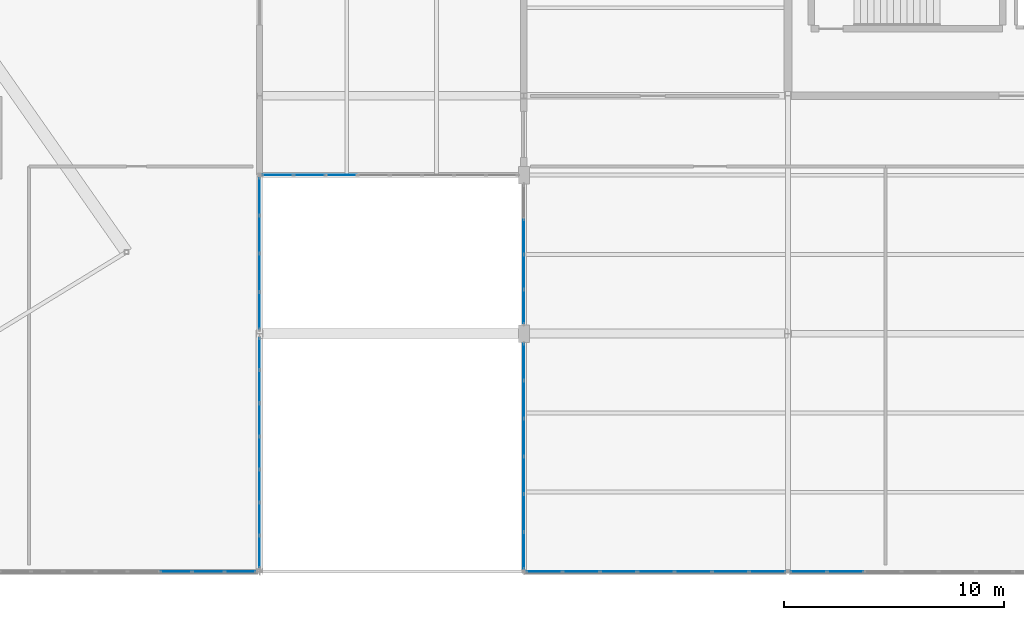
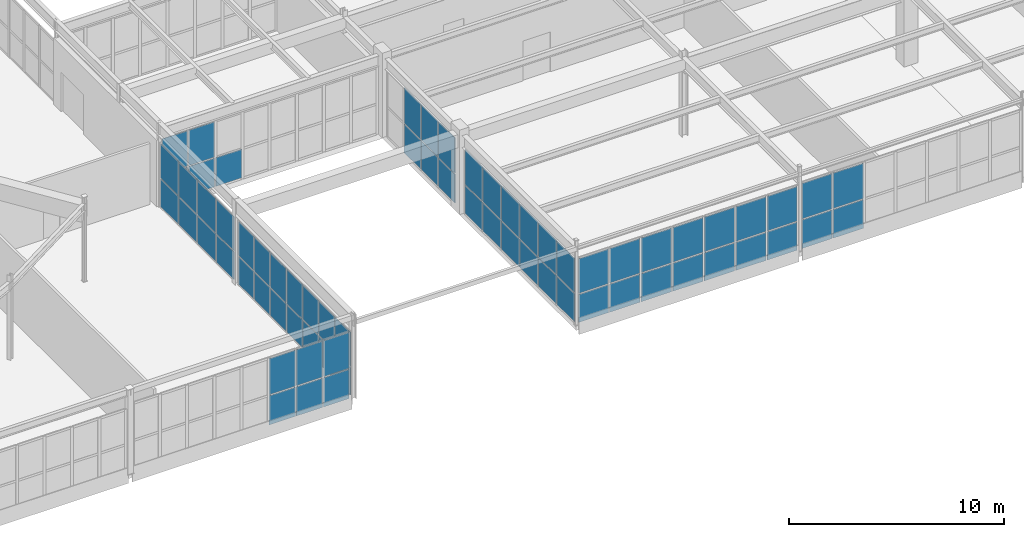
# One storey, part 119 of 186: 69 plates, 8 elements without a shape of their own.
"""IFC4 building model written with IfcOpenShell, lengths in metres."""

from ifc_helpers import new_model, si_unit, direction, frame, origin, origin_2d, place, context, subcontext, project, spatial, rectangle, extrude, material, layer, layer_set, type_object, element, aggregate, save


model = new_model("IFC4")

# Units and contexts
model_context = context("Model", 3, precision=1e-05, world=origin(), true_north=direction((0.0, 1.0)))
body_context = subcontext(model_context, "Body", "Model", "MODEL_VIEW")
ifc_project = project(units=[si_unit("LENGTHUNIT", "METRE"), si_unit("AREAUNIT", "SQUARE_METRE"), si_unit("VOLUMEUNIT", "CUBIC_METRE"), si_unit("PLANEANGLEUNIT", "RADIAN"), si_unit("MASSUNIT", "GRAM", prefix="KILO")], contexts=[model_context])

# Site, building, storey
site_placement = place(None, origin())
site = spatial("IfcSite", under=ifc_project, at=site_placement, CompositionType="ELEMENT")
building_placement = place(site_placement, origin())
building = spatial("IfcBuilding", under=site, at=building_placement, Name="Tarnwether General Hospital", CompositionType="ELEMENT")
storey_placement = place(building_placement, frame((0.0, 0.0, 9.60009765625)))
storey = spatial("IfcBuildingStorey", under=building, at=storey_placement, Name="L02", CompositionType="ELEMENT", Elevation=9.60009765625)

# Curtain wall, plates
ifc_material_1 = material(Name="Anodised aluminium", Category="aluminium")
ifc_layer_1 = layer(ifc_material_1, 0.159912109375)
ifc_layer_set_1 = layer_set([ifc_layer_1], Name="Anodised aluminium")
curtain_wall_type_1 = type_object("IfcCurtainWallType", Name="CW-13", PredefinedType="NOTDEFINED", material=ifc_layer_set_1)
curtain_wall_1_placement = place(storey_placement, origin())
curtain_wall_1 = element("IfcCurtainWall", 1, at=curtain_wall_1_placement, inside=storey, type_object=curtain_wall_type_1, Name="Curtain Wall CWG-L02-1319_0-0409", PredefinedType="NOTDEFINED")
ifc_material_2 = material(Name="Double glazed low-E glass", Category="glass")
ifc_layer_2 = layer(ifc_material_2, 0.028076171875)
ifc_layer_set_2 = layer_set([ifc_layer_2], Name="Double glazed low-E glass")
plate_type = type_object("IfcPlateType", Name="PT-CWP1", PredefinedType="CURTAIN_PANEL", material=ifc_layer_set_2)
plate_1_placement = place(storey_placement, frame((131.118408203125, 0.0, 0.06005859375), z_axis=(0.0, 0.0, 1.0), x_axis=(-1.0, 0.0, 0.0)))
plate_1 = element("IfcPlate", 2, at=plate_1_placement, type_object=plate_type, Name="CW-13 panel 1.1", PredefinedType="CURTAIN_PANEL", context=body_context, shape_type="SweptSolid", body=[
    extrude(rectangle(XDim=1.373291015625, YDim=0.028076171875, at=origin_2d()), origin(), (0.0, 0.0, 1.0), 1.658203125),
])
plate_2_placement = place(storey_placement, frame((131.118408203125, 0.0, 1.7783203125), z_axis=(0.0, 0.0, 1.0), x_axis=(-1.0, 0.0, 0.0)))
plate_2 = element("IfcPlate", 3, at=plate_2_placement, type_object=plate_type, Name="CW-13 panel 1.2", PredefinedType="CURTAIN_PANEL", context=body_context, shape_type="SweptSolid", body=[
    extrude(rectangle(XDim=1.373291015625, YDim=0.028076171875, at=origin_2d()), origin(), (0.0, 0.0, 1.0), 2.046630859375),
])
plate_3_placement = place(storey_placement, frame((129.669921875, 0.0, 0.06005859375), z_axis=(0.0, 0.0, 1.0), x_axis=(-1.0, 0.0, 0.0)))
plate_3 = element("IfcPlate", 4, at=plate_3_placement, type_object=plate_type, Name="CW-13 panel 2.1", PredefinedType="CURTAIN_PANEL", context=body_context, shape_type="SweptSolid", body=[
    extrude(rectangle(XDim=1.4033203125, YDim=0.028076171875, at=origin_2d()), origin(), (0.0, 0.0, 1.0), 1.658203125),
])
plate_4_placement = place(storey_placement, frame((129.669921875, 0.0, 1.7783203125), z_axis=(0.0, 0.0, 1.0), x_axis=(-1.0, 0.0, 0.0)))
plate_4 = element("IfcPlate", 5, at=plate_4_placement, type_object=plate_type, Name="CW-13 panel 2.2", PredefinedType="CURTAIN_PANEL", context=body_context, shape_type="SweptSolid", body=[
    extrude(rectangle(XDim=1.4033203125, YDim=0.028076171875, at=origin_2d()), origin(), (0.0, 0.0, 1.0), 2.046630859375),
])
plate_5_placement = place(storey_placement, frame((128.20654296875, 0.0, 0.06005859375), z_axis=(0.0, 0.0, 1.0), x_axis=(-1.0, 0.0, 0.0)))
plate_5 = element("IfcPlate", 6, at=plate_5_placement, type_object=plate_type, Name="CW-13 panel 3.1", PredefinedType="CURTAIN_PANEL", context=body_context, shape_type="SweptSolid", body=[
    extrude(rectangle(XDim=1.4033203125, YDim=0.028076171875, at=origin_2d()), origin(), (0.0, 0.0, 1.0), 1.658203125),
])
plate_6_placement = place(storey_placement, frame((128.20654296875, 0.0, 1.7783203125), z_axis=(0.0, 0.0, 1.0), x_axis=(-1.0, 0.0, 0.0)))
plate_6 = element("IfcPlate", 7, at=plate_6_placement, type_object=plate_type, Name="CW-13 panel 3.2", PredefinedType="CURTAIN_PANEL", context=body_context, shape_type="SweptSolid", body=[
    extrude(rectangle(XDim=1.4033203125, YDim=0.028076171875, at=origin_2d()), origin(), (0.0, 0.0, 1.0), 2.046630859375),
])
aggregate(curtain_wall_1, [plate_1, plate_2, plate_3, plate_4, plate_5, plate_6])

ifc_material_3 = material(Name="Anodised aluminium", Category="aluminium")
ifc_layer_3 = layer(ifc_material_3, 0.159912109375)
ifc_layer_set_3 = layer_set([ifc_layer_3], Name="Anodised aluminium")
curtain_wall_type_2 = type_object("IfcCurtainWallType", Name="CW-15", PredefinedType="NOTDEFINED", material=ifc_layer_set_3)
curtain_wall_2_placement = place(storey_placement, origin())
curtain_wall_2 = element("IfcCurtainWall", 8, at=curtain_wall_2_placement, inside=storey, type_object=curtain_wall_type_2, Name="Curtain Wall CWG-L02-1320_179-0434", PredefinedType="NOTDEFINED")
plate_7_placement = place(storey_placement, frame((132.0, 17.02880859375, 0.06005859375), z_axis=(0.0, 0.0, 1.0), x_axis=(0.0, -1.0, 0.0)))
plate_7 = element("IfcPlate", 9, at=plate_7_placement, type_object=plate_type, Name="CW-15 panel 1.1", PredefinedType="CURTAIN_PANEL", context=body_context, shape_type="SweptSolid", body=[
    extrude(rectangle(XDim=1.648193359375, YDim=0.028076171875, at=origin_2d()), origin(), (0.0, 0.0, 1.0), 1.56591796875),
])
plate_8_placement = place(storey_placement, frame((132.0, 17.02880859375, 1.685791015625), z_axis=(0.0, 0.0, 1.0), x_axis=(0.0, -1.0, 0.0)))
plate_8 = element("IfcPlate", 10, at=plate_8_placement, type_object=plate_type, Name="CW-15 panel 1.2", PredefinedType="CURTAIN_PANEL", context=body_context, shape_type="SweptSolid", body=[
    extrude(rectangle(XDim=1.648193359375, YDim=0.028076171875, at=origin_2d()), origin(), (0.0, 0.0, 1.0), 1.93408203125),
])
plate_9_placement = place(storey_placement, frame((132.0, 15.3056640625, 0.06005859375), z_axis=(0.0, 0.0, 1.0), x_axis=(0.0, -1.0, 0.0)))
plate_9 = element("IfcPlate", 11, at=plate_9_placement, type_object=plate_type, Name="CW-15 panel 2.1", PredefinedType="CURTAIN_PANEL", context=body_context, shape_type="SweptSolid", body=[
    extrude(rectangle(XDim=1.67822265625, YDim=0.028076171875, at=origin_2d()), origin(), (0.0, 0.0, 1.0), 1.56591796875),
])
plate_10_placement = place(storey_placement, frame((132.0, 15.3056640625, 1.685791015625), z_axis=(0.0, 0.0, 1.0), x_axis=(0.0, -1.0, 0.0)))
plate_10 = element("IfcPlate", 12, at=plate_10_placement, type_object=plate_type, Name="CW-15 panel 2.2", PredefinedType="CURTAIN_PANEL", context=body_context, shape_type="SweptSolid", body=[
    extrude(rectangle(XDim=1.67822265625, YDim=0.028076171875, at=origin_2d()), origin(), (0.0, 0.0, 1.0), 1.93408203125),
])
plate_11_placement = place(storey_placement, frame((132.0, 13.5673828125, 0.06005859375), z_axis=(0.0, 0.0, 1.0), x_axis=(0.0, -1.0, 0.0)))
plate_11 = element("IfcPlate", 13, at=plate_11_placement, type_object=plate_type, Name="CW-15 panel 3.1", PredefinedType="CURTAIN_PANEL", context=body_context, shape_type="SweptSolid", body=[
    extrude(rectangle(XDim=1.67822265625, YDim=0.028076171875, at=origin_2d()), origin(), (0.0, 0.0, 1.0), 1.56591796875),
])
plate_12_placement = place(storey_placement, frame((132.0, 13.5673828125, 1.685791015625), z_axis=(0.0, 0.0, 1.0), x_axis=(0.0, -1.0, 0.0)))
plate_12 = element("IfcPlate", 14, at=plate_12_placement, type_object=plate_type, Name="CW-15 panel 3.2", PredefinedType="CURTAIN_PANEL", context=body_context, shape_type="SweptSolid", body=[
    extrude(rectangle(XDim=1.67822265625, YDim=0.028076171875, at=origin_2d()), origin(), (0.0, 0.0, 1.0), 1.93408203125),
])
plate_13_placement = place(storey_placement, frame((132.0, 11.84423828125, 0.06005859375), z_axis=(0.0, 0.0, 1.0), x_axis=(0.0, -1.0, 0.0)))
plate_13 = element("IfcPlate", 15, at=plate_13_placement, type_object=plate_type, Name="CW-15 panel 4.1", PredefinedType="CURTAIN_PANEL", context=body_context, shape_type="SweptSolid", body=[
    extrude(rectangle(XDim=1.648193359375, YDim=0.028076171875, at=origin_2d()), origin(), (0.0, 0.0, 1.0), 1.56591796875),
])
plate_14_placement = place(storey_placement, frame((132.0, 11.84423828125, 1.685791015625), z_axis=(0.0, 0.0, 1.0), x_axis=(0.0, -1.0, 0.0)))
plate_14 = element("IfcPlate", 16, at=plate_14_placement, type_object=plate_type, Name="CW-15 panel 4.2", PredefinedType="CURTAIN_PANEL", context=body_context, shape_type="SweptSolid", body=[
    extrude(rectangle(XDim=1.648193359375, YDim=0.028076171875, at=origin_2d()), origin(), (0.0, 0.0, 1.0), 1.93408203125),
])
aggregate(curtain_wall_2, [plate_7, plate_8, plate_9, plate_10, plate_11, plate_12, plate_13, plate_14])

curtain_wall_3_placement = place(storey_placement, origin())
curtain_wall_3 = element("IfcCurtainWall", 17, at=curtain_wall_3_placement, inside=storey, type_object=curtain_wall_type_2, Name="Curtain Wall CWG-L02-1320_106-0435", PredefinedType="NOTDEFINED")
plate_15_placement = place(storey_placement, frame((132.0, 9.874755859375, 0.06005859375), z_axis=(0.0, 0.0, 1.0), x_axis=(0.0, -1.0, 0.0)))
plate_15 = element("IfcPlate", 18, at=plate_15_placement, type_object=plate_type, Name="CW-15 panel 1.1", PredefinedType="CURTAIN_PANEL", context=body_context, shape_type="SweptSolid", body=[
    extrude(rectangle(XDim=1.41064453125, YDim=0.028076171875, at=origin_2d()), origin(), (0.0, 0.0, 1.0), 1.56591796875),
])
plate_16_placement = place(storey_placement, frame((132.0, 9.874755859375, 1.685791015625), z_axis=(0.0, 0.0, 1.0), x_axis=(0.0, -1.0, 0.0)))
plate_16 = element("IfcPlate", 19, at=plate_16_placement, type_object=plate_type, Name="CW-15 panel 1.2", PredefinedType="CURTAIN_PANEL", context=body_context, shape_type="SweptSolid", body=[
    extrude(rectangle(XDim=1.41064453125, YDim=0.028076171875, at=origin_2d()), origin(), (0.0, 0.0, 1.0), 1.93408203125),
])
plate_17_placement = place(storey_placement, frame((132.0, 8.388916015625, 0.06005859375), z_axis=(0.0, 0.0, 1.0), x_axis=(0.0, -1.0, 0.0)))
plate_17 = element("IfcPlate", 20, at=plate_17_placement, type_object=plate_type, Name="CW-15 panel 2.1", PredefinedType="CURTAIN_PANEL", context=body_context, shape_type="SweptSolid", body=[
    extrude(rectangle(XDim=1.440673828125, YDim=0.028076171875, at=origin_2d()), origin(), (0.0, 0.0, 1.0), 1.56591796875),
])
plate_18_placement = place(storey_placement, frame((132.0, 8.388916015625, 1.685791015625), z_axis=(0.0, 0.0, 1.0), x_axis=(0.0, -1.0, 0.0)))
plate_18 = element("IfcPlate", 21, at=plate_18_placement, type_object=plate_type, Name="CW-15 panel 2.2", PredefinedType="CURTAIN_PANEL", context=body_context, shape_type="SweptSolid", body=[
    extrude(rectangle(XDim=1.440673828125, YDim=0.028076171875, at=origin_2d()), origin(), (0.0, 0.0, 1.0), 1.93408203125),
])
plate_19_placement = place(storey_placement, frame((132.0, 6.88818359375, 0.06005859375), z_axis=(0.0, 0.0, 1.0), x_axis=(0.0, -1.0, 0.0)))
plate_19 = element("IfcPlate", 22, at=plate_19_placement, type_object=plate_type, Name="CW-15 panel 3.1", PredefinedType="CURTAIN_PANEL", context=body_context, shape_type="SweptSolid", body=[
    extrude(rectangle(XDim=1.440673828125, YDim=0.028076171875, at=origin_2d()), origin(), (0.0, 0.0, 1.0), 1.56591796875),
])
plate_20_placement = place(storey_placement, frame((132.0, 6.88818359375, 1.685791015625), z_axis=(0.0, 0.0, 1.0), x_axis=(0.0, -1.0, 0.0)))
plate_20 = element("IfcPlate", 23, at=plate_20_placement, type_object=plate_type, Name="CW-15 panel 3.2", PredefinedType="CURTAIN_PANEL", context=body_context, shape_type="SweptSolid", body=[
    extrude(rectangle(XDim=1.440673828125, YDim=0.028076171875, at=origin_2d()), origin(), (0.0, 0.0, 1.0), 1.93408203125),
])
plate_21_placement = place(storey_placement, frame((132.0, 5.387451171875, 0.06005859375), z_axis=(0.0, 0.0, 1.0), x_axis=(0.0, -1.0, 0.0)))
plate_21 = element("IfcPlate", 24, at=plate_21_placement, type_object=plate_type, Name="CW-15 panel 4.1", PredefinedType="CURTAIN_PANEL", context=body_context, shape_type="SweptSolid", body=[
    extrude(rectangle(XDim=1.440673828125, YDim=0.028076171875, at=origin_2d()), origin(), (0.0, 0.0, 1.0), 1.56591796875),
])
plate_22_placement = place(storey_placement, frame((132.0, 5.387451171875, 1.685791015625), z_axis=(0.0, 0.0, 1.0), x_axis=(0.0, -1.0, 0.0)))
plate_22 = element("IfcPlate", 25, at=plate_22_placement, type_object=plate_type, Name="CW-15 panel 4.2", PredefinedType="CURTAIN_PANEL", context=body_context, shape_type="SweptSolid", body=[
    extrude(rectangle(XDim=1.440673828125, YDim=0.028076171875, at=origin_2d()), origin(), (0.0, 0.0, 1.0), 1.93408203125),
])
plate_23_placement = place(storey_placement, frame((132.0, 3.88671875, 0.06005859375), z_axis=(0.0, 0.0, 1.0), x_axis=(0.0, -1.0, 0.0)))
plate_23 = element("IfcPlate", 26, at=plate_23_placement, type_object=plate_type, Name="CW-15 panel 5.1", PredefinedType="CURTAIN_PANEL", context=body_context, shape_type="SweptSolid", body=[
    extrude(rectangle(XDim=1.440673828125, YDim=0.028076171875, at=origin_2d()), origin(), (0.0, 0.0, 1.0), 1.56591796875),
])
plate_24_placement = place(storey_placement, frame((132.0, 3.88671875, 1.685791015625), z_axis=(0.0, 0.0, 1.0), x_axis=(0.0, -1.0, 0.0)))
plate_24 = element("IfcPlate", 27, at=plate_24_placement, type_object=plate_type, Name="CW-15 panel 5.2", PredefinedType="CURTAIN_PANEL", context=body_context, shape_type="SweptSolid", body=[
    extrude(rectangle(XDim=1.440673828125, YDim=0.028076171875, at=origin_2d()), origin(), (0.0, 0.0, 1.0), 1.93408203125),
])
plate_25_placement = place(storey_placement, frame((132.0, 2.385986328125, 0.06005859375), z_axis=(0.0, 0.0, 1.0), x_axis=(0.0, -1.0, 0.0)))
plate_25 = element("IfcPlate", 28, at=plate_25_placement, type_object=plate_type, Name="CW-15 panel 6.1", PredefinedType="CURTAIN_PANEL", context=body_context, shape_type="SweptSolid", body=[
    extrude(rectangle(XDim=1.440673828125, YDim=0.028076171875, at=origin_2d()), origin(), (0.0, 0.0, 1.0), 1.56591796875),
])
plate_26_placement = place(storey_placement, frame((132.0, 2.385986328125, 1.685791015625), z_axis=(0.0, 0.0, 1.0), x_axis=(0.0, -1.0, 0.0)))
plate_26 = element("IfcPlate", 29, at=plate_26_placement, type_object=plate_type, Name="CW-15 panel 6.2", PredefinedType="CURTAIN_PANEL", context=body_context, shape_type="SweptSolid", body=[
    extrude(rectangle(XDim=1.440673828125, YDim=0.028076171875, at=origin_2d()), origin(), (0.0, 0.0, 1.0), 1.93408203125),
])
plate_27_placement = place(storey_placement, frame((132.0, 0.900390625, 0.06005859375), z_axis=(0.0, 0.0, 1.0), x_axis=(0.0, -1.0, 0.0)))
plate_27 = element("IfcPlate", 30, at=plate_27_placement, type_object=plate_type, Name="CW-15 panel 7.1", PredefinedType="CURTAIN_PANEL", context=body_context, shape_type="SweptSolid", body=[
    extrude(rectangle(XDim=1.41064453125, YDim=0.028076171875, at=origin_2d()), origin(), (0.0, 0.0, 1.0), 1.56591796875),
])
plate_28_placement = place(storey_placement, frame((132.0, 0.900390625, 1.685791015625), z_axis=(0.0, 0.0, 1.0), x_axis=(0.0, -1.0, 0.0)))
plate_28 = element("IfcPlate", 31, at=plate_28_placement, type_object=plate_type, Name="CW-15 panel 7.2", PredefinedType="CURTAIN_PANEL", context=body_context, shape_type="SweptSolid", body=[
    extrude(rectangle(XDim=1.41064453125, YDim=0.028076171875, at=origin_2d()), origin(), (0.0, 0.0, 1.0), 1.93408203125),
])
aggregate(curtain_wall_3, [plate_15, plate_16, plate_17, plate_18, plate_19, plate_20, plate_21, plate_22, plate_23, plate_24, plate_25, plate_26, plate_27, plate_28])

curtain_wall_4_placement = place(storey_placement, origin())
curtain_wall_4 = element("IfcCurtainWall", 32, at=curtain_wall_4_placement, inside=storey, type_object=curtain_wall_type_2, Name="Curtain Wall CWG-L02-1440_1-0436", PredefinedType="NOTDEFINED")
plate_29_placement = place(storey_placement, frame((144.0, 0.946044921875, 0.06005859375), z_axis=(0.0, 0.0, 1.0), x_axis=(0.0, 1.0, 0.0)))
plate_29 = element("IfcPlate", 33, at=plate_29_placement, type_object=plate_type, Name="CW-15 panel 1.1", PredefinedType="CURTAIN_PANEL", context=body_context, shape_type="SweptSolid", body=[
    extrude(rectangle(XDim=1.630126953125, YDim=0.028076171875, at=origin_2d()), origin(), (0.0, 0.0, 1.0), 1.592041015625),
])
plate_30_placement = place(storey_placement, frame((144.0, 0.946044921875, 1.712158203125), z_axis=(0.0, 0.0, 1.0), x_axis=(0.0, 1.0, 0.0)))
plate_30 = element("IfcPlate", 34, at=plate_30_placement, type_object=plate_type, Name="CW-15 panel 1.2", PredefinedType="CURTAIN_PANEL", context=body_context, shape_type="SweptSolid", body=[
    extrude(rectangle(XDim=1.630126953125, YDim=0.028076171875, at=origin_2d()), origin(), (0.0, 0.0, 1.0), 1.9658203125),
])
plate_31_placement = place(storey_placement, frame((144.0, 2.6513671875, 0.06005859375), z_axis=(0.0, 0.0, 1.0), x_axis=(0.0, 1.0, 0.0)))
plate_31 = element("IfcPlate", 35, at=plate_31_placement, type_object=plate_type, Name="CW-15 panel 2.1", PredefinedType="CURTAIN_PANEL", context=body_context, shape_type="SweptSolid", body=[
    extrude(rectangle(XDim=1.66015625, YDim=0.028076171875, at=origin_2d()), origin(), (0.0, 0.0, 1.0), 1.592041015625),
])
plate_32_placement = place(storey_placement, frame((144.0, 2.6513671875, 1.712158203125), z_axis=(0.0, 0.0, 1.0), x_axis=(0.0, 1.0, 0.0)))
plate_32 = element("IfcPlate", 36, at=plate_32_placement, type_object=plate_type, Name="CW-15 panel 2.2", PredefinedType="CURTAIN_PANEL", context=body_context, shape_type="SweptSolid", body=[
    extrude(rectangle(XDim=1.66015625, YDim=0.028076171875, at=origin_2d()), origin(), (0.0, 0.0, 1.0), 1.9658203125),
])
plate_33_placement = place(storey_placement, frame((144.0, 4.371337890625, 0.06005859375), z_axis=(0.0, 0.0, 1.0), x_axis=(0.0, 1.0, 0.0)))
plate_33 = element("IfcPlate", 37, at=plate_33_placement, type_object=plate_type, Name="CW-15 panel 3.1", PredefinedType="CURTAIN_PANEL", context=body_context, shape_type="SweptSolid", body=[
    extrude(rectangle(XDim=1.66015625, YDim=0.028076171875, at=origin_2d()), origin(), (0.0, 0.0, 1.0), 1.592041015625),
])
plate_34_placement = place(storey_placement, frame((144.0, 4.371337890625, 1.712158203125), z_axis=(0.0, 0.0, 1.0), x_axis=(0.0, 1.0, 0.0)))
plate_34 = element("IfcPlate", 38, at=plate_34_placement, type_object=plate_type, Name="CW-15 panel 3.2", PredefinedType="CURTAIN_PANEL", context=body_context, shape_type="SweptSolid", body=[
    extrude(rectangle(XDim=1.66015625, YDim=0.028076171875, at=origin_2d()), origin(), (0.0, 0.0, 1.0), 1.9658203125),
])
plate_35_placement = place(storey_placement, frame((144.0, 6.091552734375, 0.06005859375), z_axis=(0.0, 0.0, 1.0), x_axis=(0.0, 1.0, 0.0)))
plate_35 = element("IfcPlate", 39, at=plate_35_placement, type_object=plate_type, Name="CW-15 panel 4.1", PredefinedType="CURTAIN_PANEL", context=body_context, shape_type="SweptSolid", body=[
    extrude(rectangle(XDim=1.66015625, YDim=0.028076171875, at=origin_2d()), origin(), (0.0, 0.0, 1.0), 1.592041015625),
])
plate_36_placement = place(storey_placement, frame((144.0, 6.091552734375, 1.712158203125), z_axis=(0.0, 0.0, 1.0), x_axis=(0.0, 1.0, 0.0)))
plate_36 = element("IfcPlate", 40, at=plate_36_placement, type_object=plate_type, Name="CW-15 panel 4.2", PredefinedType="CURTAIN_PANEL", context=body_context, shape_type="SweptSolid", body=[
    extrude(rectangle(XDim=1.66015625, YDim=0.028076171875, at=origin_2d()), origin(), (0.0, 0.0, 1.0), 1.9658203125),
])
plate_37_placement = place(storey_placement, frame((144.0, 7.811767578125, 0.06005859375), z_axis=(0.0, 0.0, 1.0), x_axis=(0.0, 1.0, 0.0)))
plate_37 = element("IfcPlate", 41, at=plate_37_placement, type_object=plate_type, Name="CW-15 panel 5.1", PredefinedType="CURTAIN_PANEL", context=body_context, shape_type="SweptSolid", body=[
    extrude(rectangle(XDim=1.66015625, YDim=0.028076171875, at=origin_2d()), origin(), (0.0, 0.0, 1.0), 1.592041015625),
])
plate_38_placement = place(storey_placement, frame((144.0, 7.811767578125, 1.712158203125), z_axis=(0.0, 0.0, 1.0), x_axis=(0.0, 1.0, 0.0)))
plate_38 = element("IfcPlate", 42, at=plate_38_placement, type_object=plate_type, Name="CW-15 panel 5.2", PredefinedType="CURTAIN_PANEL", context=body_context, shape_type="SweptSolid", body=[
    extrude(rectangle(XDim=1.66015625, YDim=0.028076171875, at=origin_2d()), origin(), (0.0, 0.0, 1.0), 1.9658203125),
])
plate_39_placement = place(storey_placement, frame((144.0, 9.516845703125, 0.06005859375), z_axis=(0.0, 0.0, 1.0), x_axis=(0.0, 1.0, 0.0)))
plate_39 = element("IfcPlate", 43, at=plate_39_placement, type_object=plate_type, Name="CW-15 panel 6.1", PredefinedType="CURTAIN_PANEL", context=body_context, shape_type="SweptSolid", body=[
    extrude(rectangle(XDim=1.630126953125, YDim=0.028076171875, at=origin_2d()), origin(), (0.0, 0.0, 1.0), 1.592041015625),
])
plate_40_placement = place(storey_placement, frame((144.0, 9.516845703125, 1.712158203125), z_axis=(0.0, 0.0, 1.0), x_axis=(0.0, 1.0, 0.0)))
plate_40 = element("IfcPlate", 44, at=plate_40_placement, type_object=plate_type, Name="CW-15 panel 6.2", PredefinedType="CURTAIN_PANEL", context=body_context, shape_type="SweptSolid", body=[
    extrude(rectangle(XDim=1.630126953125, YDim=0.028076171875, at=origin_2d()), origin(), (0.0, 0.0, 1.0), 1.9658203125),
])
aggregate(curtain_wall_4, [plate_29, plate_30, plate_31, plate_32, plate_33, plate_34, plate_35, plate_36, plate_37, plate_38, plate_39, plate_40])

curtain_wall_5_placement = place(storey_placement, origin())
curtain_wall_5 = element("IfcCurtainWall", 45, at=curtain_wall_5_placement, inside=storey, type_object=curtain_wall_type_2, Name="Curtain Wall CWG-L02-1440_112-0437", PredefinedType="NOTDEFINED")
plate_41_placement = place(storey_placement, frame((144.0, 12.02099609375, 0.06005859375), z_axis=(0.0, 0.0, 1.0), x_axis=(0.0, 1.0, 0.0)))
plate_41 = element("IfcPlate", 46, at=plate_41_placement, type_object=plate_type, Name="CW-15 panel 1.1", PredefinedType="CURTAIN_PANEL", context=body_context, shape_type="SweptSolid", body=[
    extrude(rectangle(XDim=1.506103515625, YDim=0.028076171875, at=origin_2d()), origin(), (0.0, 0.0, 1.0), 1.628173828125),
])
plate_42_placement = place(storey_placement, frame((144.0, 12.02099609375, 1.748046875), z_axis=(0.0, 0.0, 1.0), x_axis=(0.0, 1.0, 0.0)))
plate_42 = element("IfcPlate", 47, at=plate_42_placement, type_object=plate_type, Name="CW-15 panel 1.2", PredefinedType="CURTAIN_PANEL", context=body_context, shape_type="SweptSolid", body=[
    extrude(rectangle(XDim=1.506103515625, YDim=0.028076171875, at=origin_2d()), origin(), (0.0, 0.0, 1.0), 2.010009765625),
])
plate_43_placement = place(storey_placement, frame((144.0, 13.60205078125, 0.06005859375), z_axis=(0.0, 0.0, 1.0), x_axis=(0.0, 1.0, 0.0)))
plate_43 = element("IfcPlate", 48, at=plate_43_placement, type_object=plate_type, Name="CW-15 panel 2.1", PredefinedType="CURTAIN_PANEL", context=body_context, shape_type="SweptSolid", body=[
    extrude(rectangle(XDim=1.535888671875, YDim=0.028076171875, at=origin_2d()), origin(), (0.0, 0.0, 1.0), 1.628173828125),
])
plate_44_placement = place(storey_placement, frame((144.0, 13.60205078125, 1.748046875), z_axis=(0.0, 0.0, 1.0), x_axis=(0.0, 1.0, 0.0)))
plate_44 = element("IfcPlate", 49, at=plate_44_placement, type_object=plate_type, Name="CW-15 panel 2.2", PredefinedType="CURTAIN_PANEL", context=body_context, shape_type="SweptSolid", body=[
    extrude(rectangle(XDim=1.535888671875, YDim=0.028076171875, at=origin_2d()), origin(), (0.0, 0.0, 1.0), 2.010009765625),
])
plate_45_placement = place(storey_placement, frame((144.0, 15.197998046875, 0.06005859375), z_axis=(0.0, 0.0, 1.0), x_axis=(0.0, 1.0, 0.0)))
plate_45 = element("IfcPlate", 50, at=plate_45_placement, type_object=plate_type, Name="CW-15 panel 3.1", PredefinedType="CURTAIN_PANEL", context=body_context, shape_type="SweptSolid", body=[
    extrude(rectangle(XDim=1.535888671875, YDim=0.028076171875, at=origin_2d()), origin(), (0.0, 0.0, 1.0), 1.628173828125),
])
plate_46_placement = place(storey_placement, frame((144.0, 15.197998046875, 1.748046875), z_axis=(0.0, 0.0, 1.0), x_axis=(0.0, 1.0, 0.0)))
plate_46 = element("IfcPlate", 51, at=plate_46_placement, type_object=plate_type, Name="CW-15 panel 3.2", PredefinedType="CURTAIN_PANEL", context=body_context, shape_type="SweptSolid", body=[
    extrude(rectangle(XDim=1.535888671875, YDim=0.028076171875, at=origin_2d()), origin(), (0.0, 0.0, 1.0), 2.010009765625),
])
aggregate(curtain_wall_5, [plate_41, plate_42, plate_43, plate_44, plate_45, plate_46])

ifc_material_4 = material(Name="Anodised aluminium", Category="aluminium")
ifc_layer_4 = layer(ifc_material_4, 0.159912109375)
ifc_layer_set_4 = layer_set([ifc_layer_4], Name="Anodised aluminium")
curtain_wall_type_3 = type_object("IfcCurtainWallType", Name="CW-19", PredefinedType="NOTDEFINED", material=ifc_layer_set_4)
curtain_wall_6_placement = place(storey_placement, origin())
curtain_wall_6 = element("IfcCurtainWall", 52, at=curtain_wall_6_placement, inside=storey, type_object=curtain_wall_type_3, Name="Curtain Wall CWG-L02-1679_0-0458", PredefinedType="NOTDEFINED")
plate_47_placement = place(storey_placement, frame((158.609130859375, 0.0, 0.06005859375), z_axis=(0.0, 0.0, 1.0), x_axis=(-1.0, 0.0, 0.0)))
plate_47 = element("IfcPlate", 53, at=plate_47_placement, type_object=plate_type, Name="CW-19 panel 6.1", PredefinedType="CURTAIN_PANEL", context=body_context, shape_type="SweptSolid", body=[
    extrude(rectangle(XDim=1.632080078125, YDim=0.028076171875, at=origin_2d()), origin(), (0.0, 0.0, 1.0), 1.628173828125),
])
plate_48_placement = place(storey_placement, frame((158.609130859375, 0.0, 1.748046875), z_axis=(0.0, 0.0, 1.0), x_axis=(-1.0, 0.0, 0.0)))
plate_48 = element("IfcPlate", 54, at=plate_48_placement, type_object=plate_type, Name="CW-19 panel 6.2", PredefinedType="CURTAIN_PANEL", context=body_context, shape_type="SweptSolid", body=[
    extrude(rectangle(XDim=1.632080078125, YDim=0.028076171875, at=origin_2d()), origin(), (0.0, 0.0, 1.0), 2.010009765625),
])
plate_49_placement = place(storey_placement, frame((156.93212890625, 0.0, 0.06005859375), z_axis=(0.0, 0.0, 1.0), x_axis=(-1.0, 0.0, 0.0)))
plate_49 = element("IfcPlate", 55, at=plate_49_placement, type_object=plate_type, Name="CW-19 panel 7.1", PredefinedType="CURTAIN_PANEL", context=body_context, shape_type="SweptSolid", body=[
    extrude(rectangle(XDim=1.60205078125, YDim=0.028076171875, at=origin_2d()), origin(), (0.0, 0.0, 1.0), 1.628173828125),
])
plate_50_placement = place(storey_placement, frame((156.93212890625, 0.0, 1.748046875), z_axis=(0.0, 0.0, 1.0), x_axis=(-1.0, 0.0, 0.0)))
plate_50 = element("IfcPlate", 56, at=plate_50_placement, type_object=plate_type, Name="CW-19 panel 7.2", PredefinedType="CURTAIN_PANEL", context=body_context, shape_type="SweptSolid", body=[
    extrude(rectangle(XDim=1.60205078125, YDim=0.028076171875, at=origin_2d()), origin(), (0.0, 0.0, 1.0), 2.010009765625),
])
aggregate(curtain_wall_6, [plate_47, plate_48, plate_49, plate_50])

curtain_wall_7_placement = place(storey_placement, origin())
curtain_wall_7 = element("IfcCurtainWall", 57, at=curtain_wall_7_placement, inside=storey, type_object=curtain_wall_type_3, Name="Curtain Wall CWG-L02-1559_0-0459", PredefinedType="NOTDEFINED")
plate_51_placement = place(storey_placement, frame((155.06689453125, 0.0, 0.06005859375), z_axis=(0.0, 0.0, 1.0), x_axis=(-1.0, 0.0, 0.0)))
plate_51 = element("IfcPlate", 58, at=plate_51_placement, type_object=plate_type, Name="CW-19 panel 1.1", PredefinedType="CURTAIN_PANEL", context=body_context, shape_type="SweptSolid", body=[
    extrude(rectangle(XDim=1.60400390625, YDim=0.028076171875, at=origin_2d()), origin(), (0.0, 0.0, 1.0), 1.592041015625),
])
plate_52_placement = place(storey_placement, frame((155.06689453125, 0.0, 1.712158203125), z_axis=(0.0, 0.0, 1.0), x_axis=(-1.0, 0.0, 0.0)))
plate_52 = element("IfcPlate", 59, at=plate_52_placement, type_object=plate_type, Name="CW-19 panel 1.2", PredefinedType="CURTAIN_PANEL", context=body_context, shape_type="SweptSolid", body=[
    extrude(rectangle(XDim=1.60400390625, YDim=0.028076171875, at=origin_2d()), origin(), (0.0, 0.0, 1.0), 1.9658203125),
])
plate_53_placement = place(storey_placement, frame((153.387939453125, 0.0, 0.06005859375), z_axis=(0.0, 0.0, 1.0), x_axis=(-1.0, 0.0, 0.0)))
plate_53 = element("IfcPlate", 60, at=plate_53_placement, type_object=plate_type, Name="CW-19 panel 2.1", PredefinedType="CURTAIN_PANEL", context=body_context, shape_type="SweptSolid", body=[
    extrude(rectangle(XDim=1.634033203125, YDim=0.028076171875, at=origin_2d()), origin(), (0.0, 0.0, 1.0), 1.592041015625),
])
plate_54_placement = place(storey_placement, frame((153.387939453125, 0.0, 1.712158203125), z_axis=(0.0, 0.0, 1.0), x_axis=(-1.0, 0.0, 0.0)))
plate_54 = element("IfcPlate", 61, at=plate_54_placement, type_object=plate_type, Name="CW-19 panel 2.2", PredefinedType="CURTAIN_PANEL", context=body_context, shape_type="SweptSolid", body=[
    extrude(rectangle(XDim=1.634033203125, YDim=0.028076171875, at=origin_2d()), origin(), (0.0, 0.0, 1.0), 1.9658203125),
])
plate_55_placement = place(storey_placement, frame((151.694091796875, 0.0, 0.06005859375), z_axis=(0.0, 0.0, 1.0), x_axis=(-1.0, 0.0, 0.0)))
plate_55 = element("IfcPlate", 62, at=plate_55_placement, type_object=plate_type, Name="CW-19 panel 3.1", PredefinedType="CURTAIN_PANEL", context=body_context, shape_type="SweptSolid", body=[
    extrude(rectangle(XDim=1.634033203125, YDim=0.028076171875, at=origin_2d()), origin(), (0.0, 0.0, 1.0), 1.592041015625),
])
plate_56_placement = place(storey_placement, frame((151.694091796875, 0.0, 1.712158203125), z_axis=(0.0, 0.0, 1.0), x_axis=(-1.0, 0.0, 0.0)))
plate_56 = element("IfcPlate", 63, at=plate_56_placement, type_object=plate_type, Name="CW-19 panel 3.2", PredefinedType="CURTAIN_PANEL", context=body_context, shape_type="SweptSolid", body=[
    extrude(rectangle(XDim=1.634033203125, YDim=0.028076171875, at=origin_2d()), origin(), (0.0, 0.0, 1.0), 1.9658203125),
])
plate_57_placement = place(storey_placement, frame((150.0, 0.0, 0.06005859375), z_axis=(0.0, 0.0, 1.0), x_axis=(-1.0, 0.0, 0.0)))
plate_57 = element("IfcPlate", 64, at=plate_57_placement, type_object=plate_type, Name="CW-19 panel 4.1", PredefinedType="CURTAIN_PANEL", context=body_context, shape_type="SweptSolid", body=[
    extrude(rectangle(XDim=1.634033203125, YDim=0.028076171875, at=origin_2d()), origin(), (0.0, 0.0, 1.0), 1.592041015625),
])
plate_58_placement = place(storey_placement, frame((150.0, 0.0, 1.712158203125), z_axis=(0.0, 0.0, 1.0), x_axis=(-1.0, 0.0, 0.0)))
plate_58 = element("IfcPlate", 65, at=plate_58_placement, type_object=plate_type, Name="CW-19 panel 4.2", PredefinedType="CURTAIN_PANEL", context=body_context, shape_type="SweptSolid", body=[
    extrude(rectangle(XDim=1.634033203125, YDim=0.028076171875, at=origin_2d()), origin(), (0.0, 0.0, 1.0), 1.9658203125),
])
plate_59_placement = place(storey_placement, frame((148.305908203125, 0.0, 0.06005859375), z_axis=(0.0, 0.0, 1.0), x_axis=(-1.0, 0.0, 0.0)))
plate_59 = element("IfcPlate", 66, at=plate_59_placement, type_object=plate_type, Name="CW-19 panel 5.1", PredefinedType="CURTAIN_PANEL", context=body_context, shape_type="SweptSolid", body=[
    extrude(rectangle(XDim=1.634033203125, YDim=0.028076171875, at=origin_2d()), origin(), (0.0, 0.0, 1.0), 1.592041015625),
])
plate_60_placement = place(storey_placement, frame((148.305908203125, 0.0, 1.712158203125), z_axis=(0.0, 0.0, 1.0), x_axis=(-1.0, 0.0, 0.0)))
plate_60 = element("IfcPlate", 67, at=plate_60_placement, type_object=plate_type, Name="CW-19 panel 5.2", PredefinedType="CURTAIN_PANEL", context=body_context, shape_type="SweptSolid", body=[
    extrude(rectangle(XDim=1.634033203125, YDim=0.028076171875, at=origin_2d()), origin(), (0.0, 0.0, 1.0), 1.9658203125),
])
plate_61_placement = place(storey_placement, frame((146.612060546875, 0.0, 0.06005859375), z_axis=(0.0, 0.0, 1.0), x_axis=(-1.0, 0.0, 0.0)))
plate_61 = element("IfcPlate", 68, at=plate_61_placement, type_object=plate_type, Name="CW-19 panel 6.1", PredefinedType="CURTAIN_PANEL", context=body_context, shape_type="SweptSolid", body=[
    extrude(rectangle(XDim=1.634033203125, YDim=0.028076171875, at=origin_2d()), origin(), (0.0, 0.0, 1.0), 1.592041015625),
])
plate_62_placement = place(storey_placement, frame((146.612060546875, 0.0, 1.712158203125), z_axis=(0.0, 0.0, 1.0), x_axis=(-1.0, 0.0, 0.0)))
plate_62 = element("IfcPlate", 69, at=plate_62_placement, type_object=plate_type, Name="CW-19 panel 6.2", PredefinedType="CURTAIN_PANEL", context=body_context, shape_type="SweptSolid", body=[
    extrude(rectangle(XDim=1.634033203125, YDim=0.028076171875, at=origin_2d()), origin(), (0.0, 0.0, 1.0), 1.9658203125),
])
plate_63_placement = place(storey_placement, frame((144.93310546875, 0.0, 0.06005859375), z_axis=(0.0, 0.0, 1.0), x_axis=(-1.0, 0.0, 0.0)))
plate_63 = element("IfcPlate", 70, at=plate_63_placement, type_object=plate_type, Name="CW-19 panel 7.1", PredefinedType="CURTAIN_PANEL", context=body_context, shape_type="SweptSolid", body=[
    extrude(rectangle(XDim=1.60400390625, YDim=0.028076171875, at=origin_2d()), origin(), (0.0, 0.0, 1.0), 1.592041015625),
])
plate_64_placement = place(storey_placement, frame((144.93310546875, 0.0, 1.712158203125), z_axis=(0.0, 0.0, 1.0), x_axis=(-1.0, 0.0, 0.0)))
plate_64 = element("IfcPlate", 71, at=plate_64_placement, type_object=plate_type, Name="CW-19 panel 7.2", PredefinedType="CURTAIN_PANEL", context=body_context, shape_type="SweptSolid", body=[
    extrude(rectangle(XDim=1.60400390625, YDim=0.028076171875, at=origin_2d()), origin(), (0.0, 0.0, 1.0), 1.9658203125),
])
aggregate(curtain_wall_7, [plate_51, plate_52, plate_53, plate_54, plate_55, plate_56, plate_57, plate_58, plate_59, plate_60, plate_61, plate_62, plate_63, plate_64])

ifc_material_5 = material(Name="Anodised aluminium", Category="aluminium")
ifc_layer_5 = layer(ifc_material_5, 0.159912109375)
ifc_layer_set_5 = layer_set([ifc_layer_5], Name="Anodised aluminium")
curtain_wall_type_4 = type_object("IfcCurtainWallType", Name="CW-22", PredefinedType="NOTDEFINED", material=ifc_layer_set_5)
curtain_wall_8_placement = place(storey_placement, origin())
curtain_wall_8 = element("IfcCurtainWall", 72, at=curtain_wall_8_placement, inside=storey, type_object=curtain_wall_type_4, Name="Curtain Wall CWG-L02-1437_180-0473", PredefinedType="NOTDEFINED")
plate_65_placement = place(storey_placement, frame((135.72705078125, 18.0, 0.06005859375), z_axis=(0.0, 0.0, 1.0), x_axis=(-1.0, 0.0, 0.0)))
plate_65 = element("IfcPlate", 73, at=plate_65_placement, type_object=plate_type, Name="CW-22 panel 6.1", PredefinedType="CURTAIN_PANEL", context=body_context, shape_type="SweptSolid", body=[
    extrude(rectangle(XDim=1.397216796875, YDim=0.028076171875, at=origin_2d()), origin(), (0.0, 0.0, 1.0), 1.628173828125),
])
plate_66_placement = place(storey_placement, frame((134.269775390625, 18.0, 0.06005859375), z_axis=(0.0, 0.0, 1.0), x_axis=(-1.0, 0.0, 0.0)))
plate_66 = element("IfcPlate", 74, at=plate_66_placement, type_object=plate_type, Name="CW-22 panel 7.1", PredefinedType="CURTAIN_PANEL", context=body_context, shape_type="SweptSolid", body=[
    extrude(rectangle(XDim=1.397216796875, YDim=0.028076171875, at=origin_2d()), origin(), (0.0, 0.0, 1.0), 1.628173828125),
])
plate_67_placement = place(storey_placement, frame((134.269775390625, 18.0, 1.748046875), z_axis=(0.0, 0.0, 1.0), x_axis=(-1.0, 0.0, 0.0)))
plate_67 = element("IfcPlate", 75, at=plate_67_placement, type_object=plate_type, Name="CW-22 panel 7.2", PredefinedType="CURTAIN_PANEL", context=body_context, shape_type="SweptSolid", body=[
    extrude(rectangle(XDim=1.397216796875, YDim=0.028076171875, at=origin_2d()), origin(), (0.0, 0.0, 1.0), 2.010009765625),
])
plate_68_placement = place(storey_placement, frame((132.82763671875, 18.0, 0.06005859375), z_axis=(0.0, 0.0, 1.0), x_axis=(-1.0, 0.0, 0.0)))
plate_68 = element("IfcPlate", 76, at=plate_68_placement, type_object=plate_type, Name="CW-22 panel 8.1", PredefinedType="CURTAIN_PANEL", context=body_context, shape_type="SweptSolid", body=[
    extrude(rectangle(XDim=1.3671875, YDim=0.028076171875, at=origin_2d()), origin(), (0.0, 0.0, 1.0), 1.628173828125),
])
plate_69_placement = place(storey_placement, frame((132.82763671875, 18.0, 1.748046875), z_axis=(0.0, 0.0, 1.0), x_axis=(-1.0, 0.0, 0.0)))
plate_69 = element("IfcPlate", 77, at=plate_69_placement, type_object=plate_type, Name="CW-22 panel 8.2", PredefinedType="CURTAIN_PANEL", context=body_context, shape_type="SweptSolid", body=[
    extrude(rectangle(XDim=1.3671875, YDim=0.028076171875, at=origin_2d()), origin(), (0.0, 0.0, 1.0), 2.010009765625),
])
aggregate(curtain_wall_8, [plate_65, plate_66, plate_67, plate_68, plate_69])

save(model, "model.ifc")
